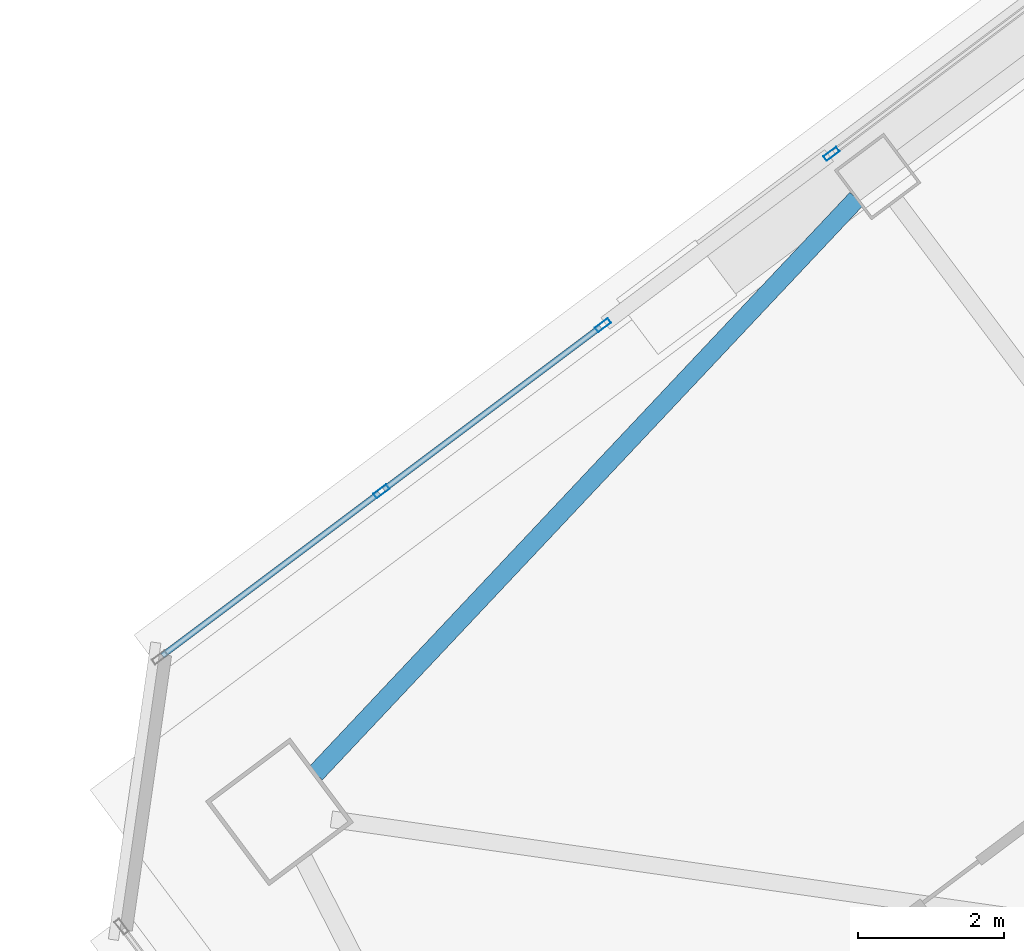
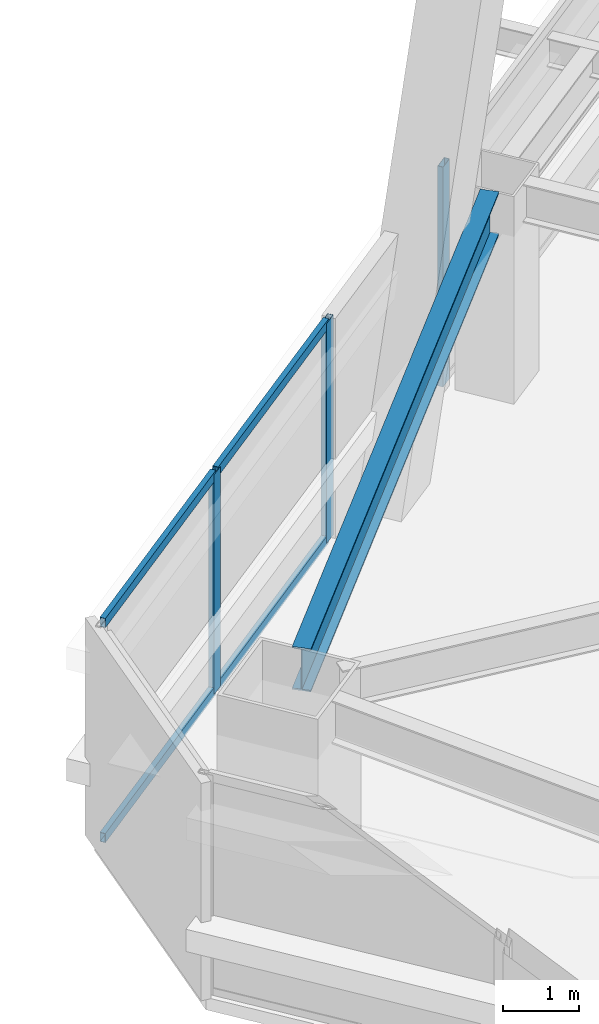
# One storey, part 33 of 54: 7 members, 1 beam, 2 elements without a shape of their own.
"""IFC4 building model written with IfcOpenShell, lengths in metres."""

from ifc_helpers import new_model, si_unit, direction, frame, origin, origin_2d, place, context, subcontext, project, spatial, hollow_rectangle, i_section, extrude, material, material_profile, profile_set, type_object, element, aggregate, save


model = new_model("IFC4")

# Units and contexts
model_context = context("Model", 3, precision=1e-05, world=origin(), true_north=direction((0.0, 1.0)))
body_context = subcontext(model_context, "Body", "Model", "MODEL_VIEW")
ifc_project = project(units=[si_unit("LENGTHUNIT", "METRE"), si_unit("AREAUNIT", "SQUARE_METRE"), si_unit("VOLUMEUNIT", "CUBIC_METRE"), si_unit("PLANEANGLEUNIT", "RADIAN"), si_unit("MASSUNIT", "GRAM", prefix="KILO")], contexts=[model_context])

# Site, building, storey
site_placement = place(None, origin())
site = spatial("IfcSite", under=ifc_project, at=site_placement, CompositionType="ELEMENT")
building_placement = place(site_placement, origin())
building = spatial("IfcBuilding", under=site, at=building_placement, Name="Tashvorn Skyway Center", CompositionType="ELEMENT")
storey_placement = place(building_placement, frame((0.0, 0.0, 88.5)))
storey = spatial("IfcBuildingStorey", under=building, at=storey_placement, Name="L23", CompositionType="ELEMENT", Elevation=88.5)

# Beam
ifc_material_1 = material(Name="Steel ASTM A992 Grade 50", Category="steel")
ifc_material_profile_1 = material_profile(ifc_material_1, i_section(OverallWidth=0.256103515625, OverallDepth=0.693115234375, WebThickness=0.014404296875, FlangeThickness=0.023681640625, at=origin_2d()), Name="W27X114")
ifc_profile_set_1 = profile_set([ifc_material_profile_1], Name="Steel ASTM A992 Grade 50")
beam_type = type_object("IfcBeamType", Name="BM-SPANDREL-W27X114", PredefinedType="SPANDREL", material=ifc_profile_set_1)
beam_placement = place(storey_placement, frame((97.842041015625, 43.854248046875, 3.00341796875), z_axis=(-0.685484857238, -0.728086883893, 0.0), x_axis=(0.728086883893, -0.685484857238, 0.0)))
element("IfcBeam", 1, at=beam_placement, inside=storey, type_object=beam_type, Name="Tower 2 L23 Spandrel Beam 09", PredefinedType="SPANDREL", context=body_context, shape_type="SweptSolid", body=[
    extrude(i_section(OverallWidth=0.256103515625, OverallDepth=0.693115234375, WebThickness=0.014404296875, FlangeThickness=0.023681640625, at=origin_2d()), origin(), (0.0, 0.0, 1.0), 10.8369140625),
])

# Curtain wall, members
ifc_material_2 = material(Name="Thermally broken bronze-anodized aluminium 6063-T6", Category="aluminium")
curtain_wall_type = type_object("IfcCurtainWallType", Name="CW-CW-Z2", PredefinedType="NOTDEFINED", material=ifc_material_2)
curtain_wall_1_placement = place(storey_placement, origin())
curtain_wall_1 = element("IfcCurtainWall", 2, at=curtain_wall_1_placement, inside=storey, type_object=curtain_wall_type, Name="Tower 2 L23 North Unitised Curtain Wall Glazing Group 1", PredefinedType="NOTDEFINED")
ifc_material_profile_2 = material_profile(ifc_material_2, hollow_rectangle(XDim=0.080078125, YDim=0.219970703125, WallThickness=0.0048828125, at=origin_2d()), Name="ALU-MULL-80x220")
ifc_profile_set_2 = profile_set([ifc_material_profile_2], Name="Thermally broken bronze-anodized aluminium 6063-T6")
member_type_1 = type_object("IfcMemberType", Name="CWM-CW-Z2", PredefinedType="MULLION", material=ifc_profile_set_2)
member_1_placement = place(storey_placement, frame((91.320068359375, 39.840087890625, 0.0), z_axis=(0.0, 0.0, 1.0), x_axis=(-0.600000000002, 0.799999999998, 0.0)))
member_1 = element("IfcMember", 3, at=member_1_placement, type_object=member_type_1, Name="CW-Z2 mullion 2", PredefinedType="MULLION", context=body_context, shape_type="SweptSolid", body=[
    extrude(hollow_rectangle(XDim=0.080078125, YDim=0.219970703125, WallThickness=0.0048828125, at=origin_2d()), origin(), (0.0, 0.0, 1.0), 3.550048828125),
])
member_2_placement = place(storey_placement, frame((94.360107421875, 42.1201171875, 0.0), z_axis=(0.0, 0.0, 1.0), x_axis=(-0.600000000002, 0.799999999998, 0.0)))
member_2 = element("IfcMember", 4, at=member_2_placement, type_object=member_type_1, Name="CW-Z2 mullion 3", PredefinedType="MULLION", context=body_context, shape_type="SweptSolid", body=[
    extrude(hollow_rectangle(XDim=0.080078125, YDim=0.219970703125, WallThickness=0.0048828125, at=origin_2d()), origin(), (0.0, 0.0, 1.0), 3.550048828125),
])

# Curtain wall, member
curtain_wall_2_placement = place(storey_placement, origin())
curtain_wall_2 = element("IfcCurtainWall", 5, at=curtain_wall_2_placement, inside=storey, type_object=curtain_wall_type, Name="Tower 2 L23 North Unitised Curtain Wall Glazing Group 2", PredefinedType="NOTDEFINED")
member_3_placement = place(storey_placement, frame((97.49609375, 44.471923828125, 0.0), z_axis=(0.0, 0.0, 1.0), x_axis=(-0.600000000002, 0.799999999998, 0.0)))
member_3 = element("IfcMember", 6, at=member_3_placement, type_object=member_type_1, Name="CW-Z2 mullion 1", PredefinedType="MULLION", context=body_context, shape_type="SweptSolid", body=[
    extrude(hollow_rectangle(XDim=0.080078125, YDim=0.219970703125, WallThickness=0.0048828125, at=origin_2d()), origin(), (0.0, 0.0, 1.0), 3.550048828125),
])
aggregate(curtain_wall_2, [member_3])

# Member
ifc_material_profile_3 = material_profile(ifc_material_2, hollow_rectangle(XDim=0.080078125, YDim=0.14990234375, WallThickness=0.00439453125, at=origin_2d()), Name="ALU-TRAN-80x150")
ifc_profile_set_3 = profile_set([ifc_material_profile_3], Name="Thermally broken bronze-anodized aluminium 6063-T6")
member_type_2 = type_object("IfcMemberType", Name="CWT-CW-Z2", PredefinedType="USERDEFINED", material=ifc_profile_set_3)
member_4_placement = place(storey_placement, frame((88.31201171875, 37.583984375, 0.0400390625), z_axis=(0.80001575065, 0.599978998559, 0.0), x_axis=(-0.599978998559, 0.80001575065, 0.0)))
member_4 = element("IfcMember", 7, at=member_4_placement, type_object=member_type_2, Name="CW-Z2 transom 1.1", ObjectType="TRANSOM", PredefinedType="USERDEFINED", context=body_context, shape_type="SweptSolid", body=[
    extrude(hollow_rectangle(XDim=0.080078125, YDim=0.14990234375, WallThickness=0.00439453125, at=origin_2d()), origin(), (0.0, 0.0, 1.0), 3.719970703125),
])

member_5_placement = place(storey_placement, frame((88.31201171875, 37.583984375, 3.510009765625), z_axis=(0.80001575065, 0.599978998559, 0.0), x_axis=(-0.599978998559, 0.80001575065, 0.0)))
member_5 = element("IfcMember", 8, at=member_5_placement, type_object=member_type_2, Name="CW-Z2 transom 1.2", ObjectType="TRANSOM", PredefinedType="USERDEFINED", context=body_context, shape_type="SweptSolid", body=[
    extrude(hollow_rectangle(XDim=0.080078125, YDim=0.14990234375, WallThickness=0.00439453125, at=origin_2d()), origin(), (0.0, 0.0, 1.0), 3.719970703125),
])

member_6_placement = place(storey_placement, frame((91.35205078125, 39.864013671875, 0.0400390625), z_axis=(0.799992124055, 0.600010501117, 0.0), x_axis=(-0.600010501117, 0.799992124055, 0.0)))
member_6 = element("IfcMember", 9, at=member_6_placement, type_object=member_type_2, Name="CW-Z2 transom 2.1", ObjectType="TRANSOM", PredefinedType="USERDEFINED", context=body_context, shape_type="SweptSolid", body=[
    extrude(hollow_rectangle(XDim=0.080078125, YDim=0.14990234375, WallThickness=0.00439453125, at=origin_2d()), origin(), (0.0, 0.0, 1.0), 3.7197265625),
])

member_7_placement = place(storey_placement, frame((91.35205078125, 39.864013671875, 3.510009765625), z_axis=(0.799992124055, 0.600010501117, 0.0), x_axis=(-0.600010501117, 0.799992124055, 0.0)))
member_7 = element("IfcMember", 10, at=member_7_placement, type_object=member_type_2, Name="CW-Z2 transom 2.2", ObjectType="TRANSOM", PredefinedType="USERDEFINED", context=body_context, shape_type="SweptSolid", body=[
    extrude(hollow_rectangle(XDim=0.080078125, YDim=0.14990234375, WallThickness=0.00439453125, at=origin_2d()), origin(), (0.0, 0.0, 1.0), 3.7197265625),
])

aggregate(curtain_wall_1, [member_1, member_2, member_4, member_5, member_6, member_7])

save(model, "model.ifc")
